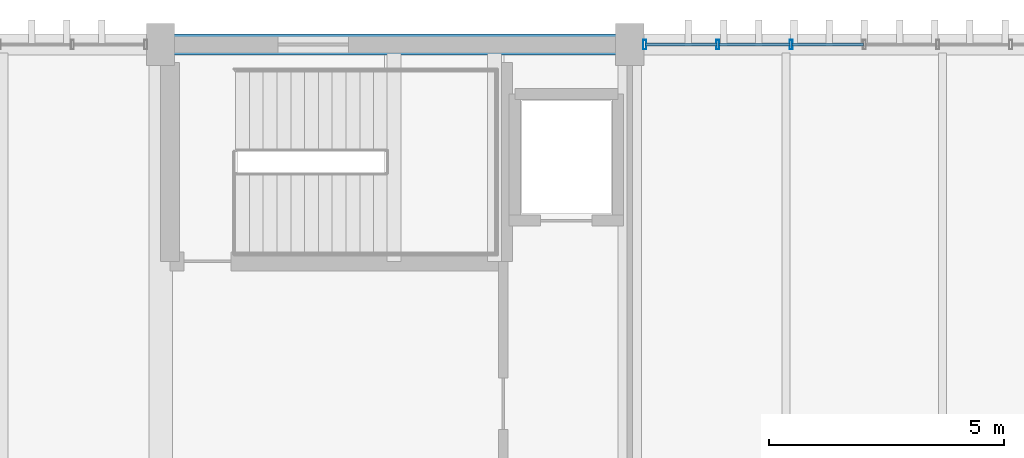
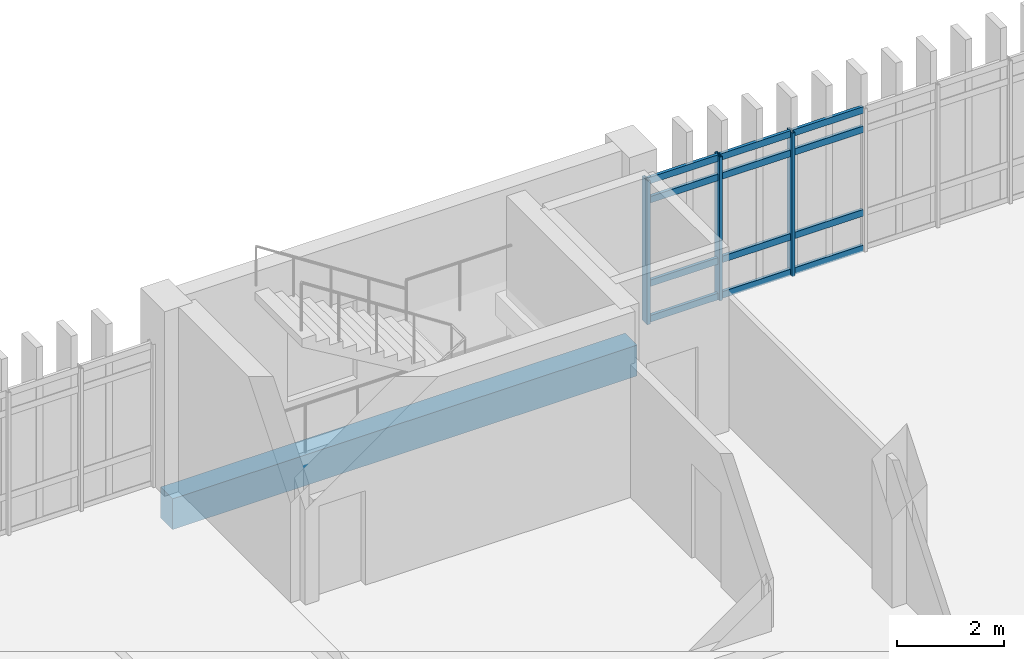
# One storey, part 95 of 161: 15 members, 1 beam, 1 element without a shape of its own.
"""IFC4 building model written with IfcOpenShell, lengths in metres."""

import ifcopenshell
import ifcopenshell.guid

model = None  # the IFC model being written
_history = None  # IfcOwnerHistory: only IFC2X3 demands one
_inside = {}  # id of a spatial element -> (the spatial element, [elements in it])
_under = {}  # id of a project, library or spatial element -> (it, [spatial elements below it])
_declared = {}  # id of a project -> (the project, [libraries it declares])
_typed = {}  # id of a type object -> (the type object, [elements of that type])
_made_of = {}  # id of a material, layer set ... -> (it, [elements and type objects made of it])


def new_model(schema):
    """Start an empty IFC model of exactly this schema.

    Asked for "IFC4X3", IfcOpenShell would pick the latest addendum, in which some entities
    have other attributes; the version numbers below select the first issue.
    IFC2X3 requires an IfcOwnerHistory on every rooted entity: one is made here for all.
    """
    global model, _history
    if schema == "IFC4X3":
        model = ifcopenshell.file(schema_version=(4, 3, 0, 0))
    else:
        model = ifcopenshell.file(schema=schema)
    _inside.clear()
    _under.clear()
    _declared.clear()
    _typed.clear()
    _made_of.clear()
    _history = None
    if model.schema == "IFC2X3":
        org = make("IfcOrganization", Name="unknown")
        user = make(
            "IfcPersonAndOrganization",
            ThePerson=make("IfcPerson", FamilyName="unknown"),
            TheOrganization=org,
        )
        app = make(
            "IfcApplication",
            ApplicationDeveloper=org,
            Version="unknown",
            ApplicationFullName="unknown",
            ApplicationIdentifier="unknown",
        )
        _history = make(
            "IfcOwnerHistory",
            OwningUser=user,
            OwningApplication=app,
            ChangeAction="ADDED",
            CreationDate=0,
        )
    return model


def make(cls, **values):
    """One entity of the class cls with the attributes given. An attribute that is None is left unset."""
    return model.create_entity(
        cls, **{name: value for name, value in values.items() if value is not None}
    )


def rooted(cls, **values):
    """An entity with a GlobalId (a new one), such as an element, a storey or a relation."""
    return make(cls, GlobalId=ifcopenshell.guid.new(), OwnerHistory=_history, **values)


def si_unit(unit_type, name, prefix=None):
    """IfcSIUnit, for example si_unit("LENGTHUNIT", "METRE", prefix="MILLI")."""
    return make("IfcSIUnit", UnitType=unit_type, Prefix=prefix, Name=name)


def assignment(units):
    """IfcUnitAssignment: the units of a project."""
    return None if units is None else make("IfcUnitAssignment", Units=units)


def point(xyz):
    """IfcCartesianPoint."""
    return None if xyz is None else make("IfcCartesianPoint", Coordinates=xyz)


def direction(xyz):
    """IfcDirection."""
    return None if xyz is None else make("IfcDirection", DirectionRatios=xyz)


def frame(location, z_axis=None, x_axis=None):
    """IfcAxis2Placement3D, a coordinate frame: its origin and axes. An axis left out is left unset."""
    return make(
        "IfcAxis2Placement3D",
        Location=point(location),
        Axis=direction(z_axis),
        RefDirection=direction(x_axis),
    )


def frame_2d(location, x_axis=None):
    """IfcAxis2Placement2D, a coordinate frame in the plane: its origin and x axis."""
    return make(
        "IfcAxis2Placement2D", Location=point(location), RefDirection=direction(x_axis)
    )


def origin():
    """The frame at (0, 0, 0) with its axes left unset."""
    return frame((0.0, 0.0, 0.0))


def origin_2d():
    """The frame at (0, 0) in the plane with its x axis left unset."""
    return frame_2d((0.0, 0.0))


def place(relative_to, where):
    """IfcLocalPlacement: puts the frame where relative to a parent placement (None: the world)."""
    return make(
        "IfcLocalPlacement", PlacementRelTo=relative_to, RelativePlacement=where
    )


def context(
    kind, dimensions, precision=None, world=None, true_north=None, identifier=None
):
    """IfcGeometricRepresentationContext, for example the 3D "Model" context."""
    return make(
        "IfcGeometricRepresentationContext",
        ContextIdentifier=identifier,
        ContextType=kind,
        CoordinateSpaceDimension=dimensions,
        Precision=precision,
        WorldCoordinateSystem=world,
        TrueNorth=true_north,
    )


def subcontext(parent, identifier, kind, view, scale=None):
    """IfcGeometricRepresentationSubContext, for example "Body" below "Model"."""
    return make(
        "IfcGeometricRepresentationSubContext",
        ContextIdentifier=identifier,
        ContextType=kind,
        ParentContext=parent,
        TargetScale=scale,
        TargetView=view,
    )


def project(units=None, contexts=None):
    """IfcProject with its units and contexts."""
    return rooted(
        "IfcProject",
        Name="project",
        RepresentationContexts=contexts,
        UnitsInContext=assignment(units),
    )


def spatial(cls, under=None, at=None, **own):
    """A site, building, storey or space (cls), placed at a placement, below another one or the project."""
    s = rooted(cls, ObjectPlacement=at, **own)
    if under is not None:
        _under.setdefault(under.id(), (under, []))[1].append(s)
    return s


def profile(cls, at=None, kind="AREA", **sizes):
    """A parametric profile (cls). Its sizes go by their IFC names, for example OverallWidth=200.0."""
    return make(cls, ProfileType=kind, Position=at, **sizes)


def rectangle(**sizes):
    """IfcRectangleProfileDef."""
    return profile("IfcRectangleProfileDef", **sizes)


def hollow_rectangle(**sizes):
    """IfcRectangleHollowProfileDef."""
    return profile("IfcRectangleHollowProfileDef", **sizes)


def extrude(swept, where, along, depth):
    """IfcExtrudedAreaSolid: the profile swept, set in the frame where, extruded along a direction by depth."""
    return make(
        "IfcExtrudedAreaSolid",
        SweptArea=swept,
        Position=where,
        ExtrudedDirection=direction(along),
        Depth=depth,
    )


def shape(context_of_items, identifier, shape_type, items):
    """IfcShapeRepresentation: the items that make up one representation, for example the "Body"."""
    return make(
        "IfcShapeRepresentation",
        ContextOfItems=context_of_items,
        RepresentationIdentifier=identifier,
        RepresentationType=shape_type,
        Items=items,
    )


def material(Name=None, Category=None):
    """IfcMaterial."""
    return make("IfcMaterial", Name=Name, Category=Category)


def layer(
    of_material, thickness, ventilated=None, Name=None, Category=None, Priority=None
):
    """IfcMaterialLayer: one layer of a wall or slab, of a material (None: an air gap)."""
    return make(
        "IfcMaterialLayer",
        Material=of_material,
        LayerThickness=thickness,
        IsVentilated=ventilated,
        Name=Name,
        Category=Category,
        Priority=Priority,
    )


def layer_set(layers, Name=None):
    """IfcMaterialLayerSet."""
    return make("IfcMaterialLayerSet", MaterialLayers=layers, LayerSetName=Name)


def material_profile(
    of_material, cross_section, Name=None, Category=None, Priority=None
):
    """IfcMaterialProfile: a cross section and its material."""
    return make(
        "IfcMaterialProfile",
        Name=Name,
        Material=of_material,
        Profile=cross_section,
        Priority=Priority,
        Category=Category,
    )


def profile_set(profiles, Name=None, composite=None):
    """IfcMaterialProfileSet."""
    return make(
        "IfcMaterialProfileSet",
        Name=Name,
        MaterialProfiles=profiles,
        CompositeProfile=composite,
    )


def made_of(thing, what):
    """Note that an element or type object is made of a material, layer set ...; save() writes the relation."""
    if what is not None:
        _made_of.setdefault(what.id(), (what, []))[1].append(thing)
    return thing


def type_object(cls, material=None, **own):
    """A type object (cls), such as IfcWallType, which elements share."""
    return made_of(rooted(cls, **own), material)


def element(
    cls,
    number,
    at=None,
    inside=None,
    cuts=None,
    type_object=None,
    material=None,
    context=None,
    identifier="Body",
    shape_type=None,
    held_by="IfcProductDefinitionShape",
    body=None,
    shapes=None,
    **own,
):
    """One element of the class cls, such as IfcWall. Its Tag is "e" and its number.

    at: its placement. inside: the storey or other place that contains it. cuts: it is an
    opening in that element (IfcRelVoidsElement). A single representation is given by context,
    identifier, shape_type and body (its items); several are given by shapes. held_by: the class
    of the entity that holds the representations. save() writes the other relations.
    """
    e = rooted(cls, Tag="e%d" % number, ObjectPlacement=at, **own)
    if body is not None:
        shapes = [shape(context, identifier, shape_type, body)]
    if shapes is not None:
        e.Representation = make(held_by, Representations=shapes)
    if inside is not None:
        _inside.setdefault(inside.id(), (inside, []))[1].append(e)
    if cuts is not None:
        rooted(
            "IfcRelVoidsElement", RelatingBuildingElement=cuts, RelatedOpeningElement=e
        )
    if type_object is not None:
        _typed.setdefault(type_object.id(), (type_object, []))[1].append(e)
    return made_of(e, material)


def aggregate(whole, parts):
    """IfcRelAggregates: a whole, such as a stair, and the parts it consists of."""
    return rooted("IfcRelAggregates", RelatingObject=whole, RelatedObjects=parts)


def save(model, path):
    """Write the relations noted so far, then the file.

    IfcRelAggregates (storeys below a building ...), IfcRelContainedInSpatialStructure (elements
    in a storey), IfcRelDefinesByType, IfcRelAssociatesMaterial and IfcRelDeclares: one each for
    every whole, place, type object, material and project.
    """
    for whole, parts in _under.values():
        aggregate(whole, parts)
    for where, things in _inside.values():
        rooted(
            "IfcRelContainedInSpatialStructure",
            RelatedElements=things,
            RelatingStructure=where,
        )
    for kind, things in _typed.values():
        rooted("IfcRelDefinesByType", RelatedObjects=things, RelatingType=kind)
    for what, things in _made_of.values():
        rooted("IfcRelAssociatesMaterial", RelatedObjects=things, RelatingMaterial=what)
    for by, libraries in _declared.values():
        rooted("IfcRelDeclares", RelatingContext=by, RelatedDefinitions=libraries)
    model.write(path)


model = new_model("IFC4")

# Units and contexts
model_context = context("Model", 3, precision=1e-05, world=origin(), true_north=direction((0.0, 1.0)))
body_context = subcontext(model_context, "Body", "Model", "MODEL_VIEW")
ifc_project = project(units=[si_unit("LENGTHUNIT", "METRE"), si_unit("AREAUNIT", "SQUARE_METRE"), si_unit("VOLUMEUNIT", "CUBIC_METRE"), si_unit("PLANEANGLEUNIT", "RADIAN"), si_unit("MASSUNIT", "GRAM", prefix="KILO")], contexts=[model_context])

# Site, building, storey
site_placement = place(None, origin())
site = spatial("IfcSite", under=ifc_project, at=site_placement, CompositionType="ELEMENT")
building_placement = place(site_placement, origin())
building = spatial("IfcBuilding", under=site, at=building_placement, Name="Mersad Railyard Sports Hall", CompositionType="ELEMENT")
storey_placement = place(building_placement, frame((0.0, 0.0, 4.800048828125)))
storey = spatial("IfcBuildingStorey", under=building, at=storey_placement, Name="L01", CompositionType="ELEMENT", Elevation=4.800048828125)

# Curtain wall, members
ifc_material_1 = material(Name="Aluminium 6063-T6", Category="aluminium")
ifc_layer = layer(ifc_material_1, 0.199951171875)
ifc_layer_set = layer_set([ifc_layer], Name="Aluminium 6063-T6")
curtain_wall_type = type_object("IfcCurtainWallType", Name="ARC-CW-CW35", PredefinedType="USERDEFINED", material=ifc_layer_set)
curtain_wall_placement = place(storey_placement, origin())
curtain_wall = element("IfcCurtainWall", 1, at=curtain_wall_placement, inside=storey, type_object=curtain_wall_type, Name="Curtain wall CW35-0099", ObjectType="CURTAIN WALL", PredefinedType="USERDEFINED")
ifc_material_profile_1 = material_profile(ifc_material_1, hollow_rectangle(XDim=0.06494140625, YDim=0.199951171875, WallThickness=0.0048828125, at=origin_2d()), Name="AL MULLION 65x200x5")
ifc_profile_set_1 = profile_set([ifc_material_profile_1], Name="Aluminium 6063-T6")
member_type_1 = type_object("IfcMemberType", Name="ARC-CW-MUL02", PredefinedType="MULLION", material=ifc_profile_set_1)
member_1_placement = place(storey_placement, frame((121.320068359375, 115.0, -0.02001953125), z_axis=(0.0, 0.0, 1.0), x_axis=(1.0, 0.0, 0.0)))
member_1 = element("IfcMember", 2, at=member_1_placement, type_object=member_type_1, Name="CW35 Mullion 1", PredefinedType="MULLION", context=body_context, shape_type="SweptSolid", body=[
    extrude(hollow_rectangle(XDim=0.06494140625, YDim=0.199951171875, WallThickness=0.0048828125, at=origin_2d()), origin(), (0.0, 0.0, 1.0), 3.27001953125),
])
member_2_placement = place(storey_placement, frame((122.8798828125, 115.0, -0.02001953125), z_axis=(0.0, 0.0, 1.0), x_axis=(1.0, 0.0, 0.0)))
member_2 = element("IfcMember", 3, at=member_2_placement, type_object=member_type_1, Name="CW35 Mullion 2", PredefinedType="MULLION", context=body_context, shape_type="SweptSolid", body=[
    extrude(hollow_rectangle(XDim=0.06494140625, YDim=0.199951171875, WallThickness=0.0048828125, at=origin_2d()), origin(), (0.0, 0.0, 1.0), 3.27001953125),
])
member_3_placement = place(storey_placement, frame((124.43994140625, 115.0, -0.02001953125), z_axis=(0.0, 0.0, 1.0), x_axis=(1.0, 0.0, 0.0)))
member_3 = element("IfcMember", 4, at=member_3_placement, type_object=member_type_1, Name="CW35 Mullion 3", PredefinedType="MULLION", context=body_context, shape_type="SweptSolid", body=[
    extrude(hollow_rectangle(XDim=0.06494140625, YDim=0.199951171875, WallThickness=0.0048828125, at=origin_2d()), origin(), (0.0, 0.0, 1.0), 3.27001953125),
])
ifc_material_profile_2 = material_profile(ifc_material_1, hollow_rectangle(XDim=0.06494140625, YDim=0.14990234375, WallThickness=0.00439453125, at=origin_2d()), Name="AL TRANSOM 65x150x4.5")
ifc_profile_set_2 = profile_set([ifc_material_profile_2], Name="Aluminium 6063-T6")
member_type_2 = type_object("IfcMemberType", Name="ARC-CW-TRN02", PredefinedType="USERDEFINED", material=ifc_profile_set_2)
member_4_placement = place(storey_placement, frame((121.340087890625, 115.0, 0.0400390625), z_axis=(1.0, 0.0, 0.0), x_axis=(0.0, 1.0, 0.0)))
member_4 = element("IfcMember", 5, at=member_4_placement, type_object=member_type_2, Name="CW35 Transom 1-1", ObjectType="TRANSOM", PredefinedType="USERDEFINED", context=body_context, shape_type="SweptSolid", body=[
    extrude(hollow_rectangle(XDim=0.06494140625, YDim=0.14990234375, WallThickness=0.00439453125, at=origin_2d()), origin(), (0.0, 0.0, 1.0), 1.52001953125),
])
member_5_placement = place(storey_placement, frame((122.89990234375, 115.0, 0.0400390625), z_axis=(1.0, 0.0, 0.0), x_axis=(0.0, 1.0, 0.0)))
member_5 = element("IfcMember", 6, at=member_5_placement, type_object=member_type_2, Name="CW35 Transom 1-2", ObjectType="TRANSOM", PredefinedType="USERDEFINED", context=body_context, shape_type="SweptSolid", body=[
    extrude(hollow_rectangle(XDim=0.06494140625, YDim=0.14990234375, WallThickness=0.00439453125, at=origin_2d()), origin(), (0.0, 0.0, 1.0), 1.52001953125),
])
member_6_placement = place(storey_placement, frame((124.4599609375, 115.0, 0.0400390625), z_axis=(1.0, 0.0, 0.0), x_axis=(0.0, 1.0, 0.0)))
member_6 = element("IfcMember", 7, at=member_6_placement, type_object=member_type_2, Name="CW35 Transom 1-3", ObjectType="TRANSOM", PredefinedType="USERDEFINED", context=body_context, shape_type="SweptSolid", body=[
    extrude(hollow_rectangle(XDim=0.06494140625, YDim=0.14990234375, WallThickness=0.00439453125, at=origin_2d()), origin(), (0.0, 0.0, 1.0), 1.52001953125),
])
member_7_placement = place(storey_placement, frame((121.340087890625, 115.0, 0.849853515625), z_axis=(1.0, 0.0, 0.0), x_axis=(0.0, 1.0, 0.0)))
member_7 = element("IfcMember", 8, at=member_7_placement, type_object=member_type_2, Name="CW35 Transom 2-1", ObjectType="TRANSOM", PredefinedType="USERDEFINED", context=body_context, shape_type="SweptSolid", body=[
    extrude(hollow_rectangle(XDim=0.06494140625, YDim=0.14990234375, WallThickness=0.00439453125, at=origin_2d()), origin(), (0.0, 0.0, 1.0), 1.52001953125),
])
member_8_placement = place(storey_placement, frame((122.89990234375, 115.0, 0.849853515625), z_axis=(1.0, 0.0, 0.0), x_axis=(0.0, 1.0, 0.0)))
member_8 = element("IfcMember", 9, at=member_8_placement, type_object=member_type_2, Name="CW35 Transom 2-2", ObjectType="TRANSOM", PredefinedType="USERDEFINED", context=body_context, shape_type="SweptSolid", body=[
    extrude(hollow_rectangle(XDim=0.06494140625, YDim=0.14990234375, WallThickness=0.00439453125, at=origin_2d()), origin(), (0.0, 0.0, 1.0), 1.52001953125),
])
member_9_placement = place(storey_placement, frame((124.4599609375, 115.0, 0.849853515625), z_axis=(1.0, 0.0, 0.0), x_axis=(0.0, 1.0, 0.0)))
member_9 = element("IfcMember", 10, at=member_9_placement, type_object=member_type_2, Name="CW35 Transom 2-3", ObjectType="TRANSOM", PredefinedType="USERDEFINED", context=body_context, shape_type="SweptSolid", body=[
    extrude(hollow_rectangle(XDim=0.06494140625, YDim=0.14990234375, WallThickness=0.00439453125, at=origin_2d()), origin(), (0.0, 0.0, 1.0), 1.52001953125),
])
member_10_placement = place(storey_placement, frame((121.340087890625, 115.0, 2.75), z_axis=(1.0, 0.0, 0.0), x_axis=(0.0, 1.0, 0.0)))
member_10 = element("IfcMember", 11, at=member_10_placement, type_object=member_type_2, Name="CW35 Transom 3-1", ObjectType="TRANSOM", PredefinedType="USERDEFINED", context=body_context, shape_type="SweptSolid", body=[
    extrude(hollow_rectangle(XDim=0.06494140625, YDim=0.14990234375, WallThickness=0.00439453125, at=origin_2d()), origin(), (0.0, 0.0, 1.0), 1.52001953125),
])
member_11_placement = place(storey_placement, frame((122.89990234375, 115.0, 2.75), z_axis=(1.0, 0.0, 0.0), x_axis=(0.0, 1.0, 0.0)))
member_11 = element("IfcMember", 12, at=member_11_placement, type_object=member_type_2, Name="CW35 Transom 3-2", ObjectType="TRANSOM", PredefinedType="USERDEFINED", context=body_context, shape_type="SweptSolid", body=[
    extrude(hollow_rectangle(XDim=0.06494140625, YDim=0.14990234375, WallThickness=0.00439453125, at=origin_2d()), origin(), (0.0, 0.0, 1.0), 1.52001953125),
])
member_12_placement = place(storey_placement, frame((124.4599609375, 115.0, 2.75), z_axis=(1.0, 0.0, 0.0), x_axis=(0.0, 1.0, 0.0)))
member_12 = element("IfcMember", 13, at=member_12_placement, type_object=member_type_2, Name="CW35 Transom 3-3", ObjectType="TRANSOM", PredefinedType="USERDEFINED", context=body_context, shape_type="SweptSolid", body=[
    extrude(hollow_rectangle(XDim=0.06494140625, YDim=0.14990234375, WallThickness=0.00439453125, at=origin_2d()), origin(), (0.0, 0.0, 1.0), 1.52001953125),
])
member_13_placement = place(storey_placement, frame((121.340087890625, 115.0, 3.18994140625), z_axis=(1.0, 0.0, 0.0), x_axis=(0.0, 1.0, 0.0)))
member_13 = element("IfcMember", 14, at=member_13_placement, type_object=member_type_2, Name="CW35 Transom 4-1", ObjectType="TRANSOM", PredefinedType="USERDEFINED", context=body_context, shape_type="SweptSolid", body=[
    extrude(hollow_rectangle(XDim=0.06494140625, YDim=0.14990234375, WallThickness=0.00439453125, at=origin_2d()), origin(), (0.0, 0.0, 1.0), 1.52001953125),
])
member_14_placement = place(storey_placement, frame((122.89990234375, 115.0, 3.18994140625), z_axis=(1.0, 0.0, 0.0), x_axis=(0.0, 1.0, 0.0)))
member_14 = element("IfcMember", 15, at=member_14_placement, type_object=member_type_2, Name="CW35 Transom 4-2", ObjectType="TRANSOM", PredefinedType="USERDEFINED", context=body_context, shape_type="SweptSolid", body=[
    extrude(hollow_rectangle(XDim=0.06494140625, YDim=0.14990234375, WallThickness=0.00439453125, at=origin_2d()), origin(), (0.0, 0.0, 1.0), 1.52001953125),
])
member_15_placement = place(storey_placement, frame((124.4599609375, 115.0, 3.18994140625), z_axis=(1.0, 0.0, 0.0), x_axis=(0.0, 1.0, 0.0)))
member_15 = element("IfcMember", 16, at=member_15_placement, type_object=member_type_2, Name="CW35 Transom 4-3", ObjectType="TRANSOM", PredefinedType="USERDEFINED", context=body_context, shape_type="SweptSolid", body=[
    extrude(hollow_rectangle(XDim=0.06494140625, YDim=0.14990234375, WallThickness=0.00439453125, at=origin_2d()), origin(), (0.0, 0.0, 1.0), 1.52001953125),
])
aggregate(curtain_wall, [member_1, member_2, member_3, member_4, member_5, member_6, member_7, member_8, member_9, member_10, member_11, member_12, member_13, member_14, member_15])

# Beam
ifc_material_2 = material(Name="Architectural concrete C40/50", Category="concrete")
ifc_material_profile_3 = material_profile(ifc_material_2, rectangle(XDim=0.449951171875, YDim=0.699951171875, at=origin_2d()), Name="RC 450x700")
ifc_profile_set_3 = profile_set([ifc_material_profile_3], Name="Architectural concrete C40/50")
beam_type = type_object("IfcBeamType", Name="STR-BM-SP01", PredefinedType="SPANDREL", material=ifc_profile_set_3)
beam_placement = place(storey_placement, frame((111.0, 115.0, -0.650146484375), z_axis=(1.0, 0.0, 0.0), x_axis=(0.0, 1.0, 0.0)))
element("IfcBeam", 17, at=beam_placement, inside=storey, type_object=beam_type, Name="Beam SP01-0954", PredefinedType="SPANDREL", context=body_context, shape_type="SweptSolid", body=[
    extrude(rectangle(XDim=0.449951171875, YDim=0.699951171875, at=origin_2d()), origin(), (0.0, 0.0, 1.0), 10.0),
])

save(model, "model.ifc")
